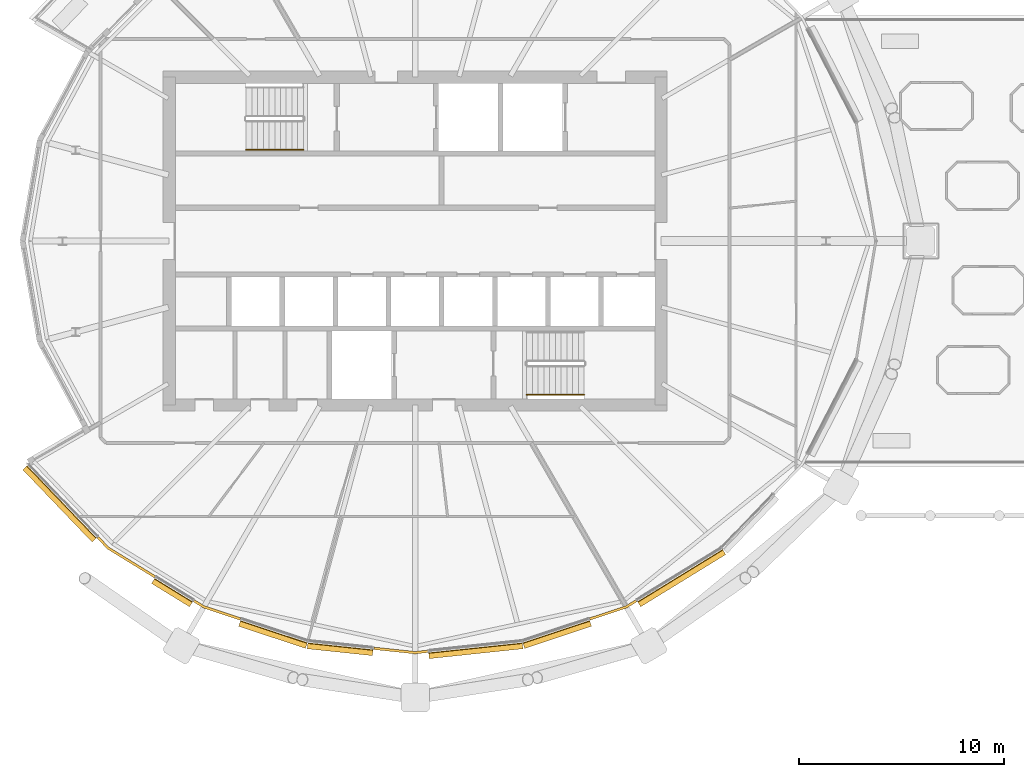
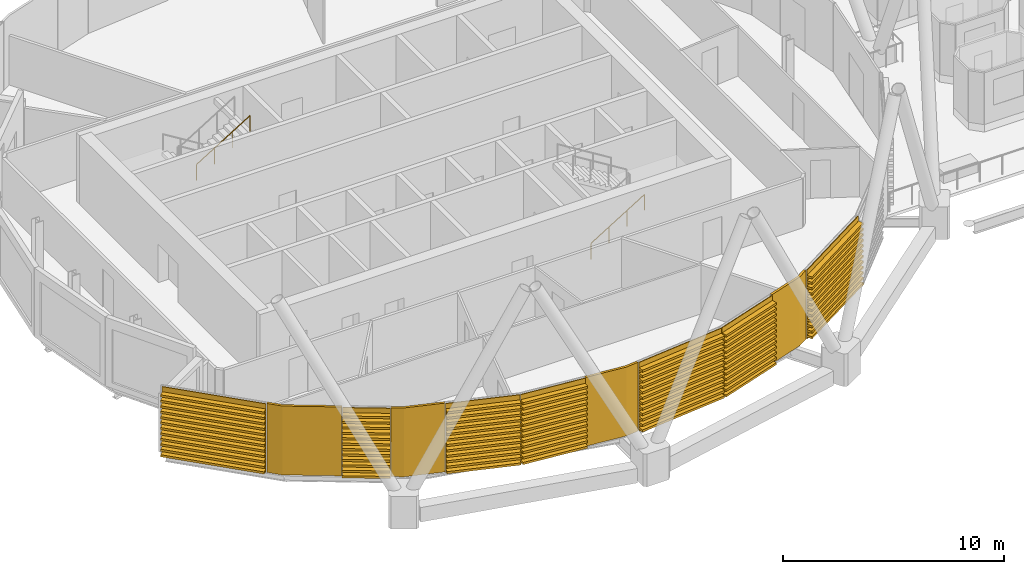
# One storey, part 32 of 38: 11 coverings, 2 railings.
"""IFC4 building model written with IfcOpenShell, lengths in metres."""

from ifc_helpers import new_model, si_unit, direction, frame, origin, origin_2d, place, context, subcontext, project, spatial, polyline, circle, outline, extrude, material, layer, layer_set, material_profile, profile_set, type_object, element, save


model = new_model("IFC4")

# Units and contexts
model_context = context("Model", 3, precision=1e-05, world=origin(), true_north=direction((0.0, 1.0)))
body_context = subcontext(model_context, "Body", "Model", "MODEL_VIEW")
ifc_project = project(units=[si_unit("LENGTHUNIT", "METRE"), si_unit("AREAUNIT", "SQUARE_METRE"), si_unit("VOLUMEUNIT", "CUBIC_METRE"), si_unit("PLANEANGLEUNIT", "RADIAN"), si_unit("MASSUNIT", "GRAM", prefix="KILO")], contexts=[model_context])

# Site, building, storey
site_placement = place(None, origin())
site = spatial("IfcSite", under=ifc_project, at=site_placement, CompositionType="ELEMENT")
building_placement = place(site_placement, origin())
building = spatial("IfcBuilding", under=site, at=building_placement, Name="Rimbun Link Towers", CompositionType="ELEMENT")
storey_placement = place(building_placement, frame((0.0, 0.0, 158.89990234375)))
storey = spatial("IfcBuildingStorey", under=building, at=storey_placement, Name="L38", CompositionType="ELEMENT", Elevation=158.89990234375)

# Coverings
ifc_material_1 = material(Name="Terracotta", Category="masonry")
ifc_layer = layer(ifc_material_1, 0.1201171875)
ifc_layer_set = layer_set([ifc_layer], Name="LINK PIER terracotta cladding 120")
covering_type_1 = type_object("IfcCoveringType", Name="LINK PIER terracotta cladding 120", PredefinedType="CLADDING", material=ifc_layer_set)
covering_1_placement = place(storey_placement, origin())
element("IfcCovering", 1, at=covering_1_placement, inside=storey, type_object=covering_type_1, Name="LINK PIER cladding", PredefinedType="CLADDING", context=body_context, shape_type="SweptSolid", body=[
    extrude(outline(polyline([(-44.41748046875, -16.33984375), (-46.692626953125, -14.942626953125), (-47.19091796875, -14.4228515625), (-47.277587890625, -14.506103515625), (-46.7685546875, -15.036865234375), (-44.480224609375, -16.442138671875), (-44.41748046875, -16.33984375)])), origin(), (0.0, 0.0, 1.0), 3.800048828125),
])
covering_2_placement = place(storey_placement, origin())
element("IfcCovering", 2, at=covering_2_placement, inside=storey, type_object=covering_type_1, Name="LINK PIER cladding", PredefinedType="CLADDING", context=body_context, shape_type="SweptSolid", body=[
    extrude(outline(polyline([(-40.255126953125, -18.393798828125), (-42.030029296875, -17.8056640625), (-42.515869140625, -17.50732421875), (-42.57861328125, -17.609619140625), (-42.0810546875, -17.9150390625), (-40.292724609375, -18.5078125), (-40.255126953125, -18.393798828125)])), origin(), (0.0, 0.0, 1.0), 3.800048828125),
])
covering_3_placement = place(storey_placement, origin())
element("IfcCovering", 3, at=covering_3_placement, inside=storey, type_object=covering_type_1, Name="LINK PIER cladding", PredefinedType="CLADDING", context=body_context, shape_type="SweptSolid", body=[
    extrude(outline(polyline([(-31.13330078125, -19.967041015625), (-31.75, -20.031982421875), (-33.7587890625, -19.820556640625), (-33.771484375, -19.93994140625), (-31.75, -20.15283203125), (-31.120849609375, -20.08642578125), (-31.13330078125, -19.967041015625)])), origin(), (0.0, 0.0, 1.0), 3.800048828125),
])
covering_4_placement = place(storey_placement, origin())
element("IfcCovering", 4, at=covering_4_placement, inside=storey, type_object=covering_type_1, Name="LINK PIER cladding", PredefinedType="CLADDING", context=body_context, shape_type="SweptSolid", body=[
    extrude(outline(polyline([(-20.984130859375, -17.50732421875), (-21.469970703125, -17.8056640625), (-23.244873046875, -18.393798828125), (-23.207275390625, -18.5078125), (-21.4189453125, -17.9150390625), (-20.92138671875, -17.609619140625), (-20.984130859375, -17.50732421875)])), origin(), (0.0, 0.0, 1.0), 3.800048828125),
])

# Railings
ifc_material_2 = material(Name="Stainless steel grade 316", Category="steel")
railing_type = type_object("IfcRailingType", Name="Stair handrail", PredefinedType="HANDRAIL", material=ifc_material_2)
for number, where, name in (
    (5, (-40.0, 4.449951171875, 2.07275390625), "L38 ST1 stair handrail 2"),
    (6, (-26.300048828125, -7.5, 0.1728515625), "L38 ST2 stair handrail 1"),
):
    element("IfcRailing", number, at=place(storey_placement, frame(where)), inside=storey, type_object=railing_type, Name=name, PredefinedType="HANDRAIL", context=body_context, shape_type="SweptSolid", body=[
        extrude(circle(Radius=0.02392578125, at=origin_2d()), frame((0.0, 0.0, 0.8759765625), z_axis=(0.851089632645, 0.0, 0.525020415988), x_axis=(0.0, 1.0, 0.0)), (0.0, 0.0, 1.0), 3.2900390625),
        extrude(circle(Radius=0.02099609375, at=origin_2d()), origin(), (0.0, 0.0, 1.0), 0.851806640625),
        extrude(circle(Radius=0.02099609375, at=origin_2d()), frame((0.933349609375, 0.0, 0.57568359375)), (0.0, 0.0, 1.0), 0.851806640625),
        extrude(circle(Radius=0.02099609375, at=origin_2d()), frame((1.86669921875, 0.0, 1.151611328125)), (0.0, 0.0, 1.0), 0.851806640625),
        extrude(circle(Radius=0.02099609375, at=origin_2d()), frame((2.800048828125, 0.0, 1.727294921875)), (0.0, 0.0, 1.0), 0.851806640625),
    ])

# Coverings
ifc_material_3 = material(Name="Terracotta", Category="masonry")
ifc_material_profile = material_profile(ifc_material_3, outline(polyline([(0.123046875, 0.0), (0.1630859375, 0.0), (0.1630859375, 0.10009765625), (0.423095703125, 0.10009765625), (0.423095703125, 0.219970703125), (0.1630859375, 0.219970703125), (0.1630859375, 0.39990234375), (0.423095703125, 0.39990234375), (0.423095703125, 0.52001953125), (0.1630859375, 0.52001953125), (0.1630859375, 0.699951171875), (0.423095703125, 0.699951171875), (0.423095703125, 0.820068359375), (0.1630859375, 0.820068359375), (0.1630859375, 1.0), (0.423095703125, 1.0), (0.423095703125, 1.1201171875), (0.1630859375, 1.1201171875), (0.1630859375, 1.300048828125), (0.423095703125, 1.300048828125), (0.423095703125, 1.419921875), (0.1630859375, 1.419921875), (0.1630859375, 1.60009765625), (0.423095703125, 1.60009765625), (0.423095703125, 1.719970703125), (0.1630859375, 1.719970703125), (0.1630859375, 1.89990234375), (0.423095703125, 1.89990234375), (0.423095703125, 2.02001953125), (0.1630859375, 2.02001953125), (0.1630859375, 2.199951171875), (0.423095703125, 2.199951171875), (0.423095703125, 2.320068359375), (0.1630859375, 2.320068359375), (0.1630859375, 2.5), (0.423095703125, 2.5), (0.423095703125, 2.6201171875), (0.1630859375, 2.6201171875), (0.1630859375, 2.800048828125), (0.423095703125, 2.800048828125), (0.423095703125, 2.919921875), (0.1630859375, 2.919921875), (0.1630859375, 3.10009765625), (0.423095703125, 3.10009765625), (0.423095703125, 3.219970703125), (0.1630859375, 3.219970703125), (0.1630859375, 3.39990234375), (0.423095703125, 3.39990234375), (0.423095703125, 3.52001953125), (0.1630859375, 3.52001953125), (0.1630859375, 3.800048828125), (0.123046875, 3.800048828125), (0.123046875, 0.0)])), Name="BAGUETTE 120X300")
ifc_profile_set = profile_set([ifc_material_profile], Name="Terracotta")
covering_type_2 = type_object("IfcCoveringType", Name="TERRACOTTA BAGUETTE 120X300 H3800", PredefinedType="CLADDING", material=ifc_profile_set)
covering_5_placement = place(storey_placement, frame((-47.211669921875, -14.4013671875, 0.0), z_axis=(-0.692046556377, 0.721852868532, 0.0), x_axis=(-0.721852868532, -0.692046556377, 0.0)))
element("IfcCovering", 7, at=covering_5_placement, inside=storey, type_object=covering_type_2, Name="TERRACOTTA BAGUETTE", PredefinedType="CLADDING", context=body_context, shape_type="SweptSolid", body=[
    extrude(outline(polyline([(0.123046875, 0.0), (0.1630859375, 0.0), (0.1630859375, 0.10009765625), (0.423095703125, 0.10009765625), (0.423095703125, 0.219970703125), (0.1630859375, 0.219970703125), (0.1630859375, 0.39990234375), (0.423095703125, 0.39990234375), (0.423095703125, 0.52001953125), (0.1630859375, 0.52001953125), (0.1630859375, 0.699951171875), (0.423095703125, 0.699951171875), (0.423095703125, 0.820068359375), (0.1630859375, 0.820068359375), (0.1630859375, 1.0), (0.423095703125, 1.0), (0.423095703125, 1.1201171875), (0.1630859375, 1.1201171875), (0.1630859375, 1.300048828125), (0.423095703125, 1.300048828125), (0.423095703125, 1.419921875), (0.1630859375, 1.419921875), (0.1630859375, 1.60009765625), (0.423095703125, 1.60009765625), (0.423095703125, 1.719970703125), (0.1630859375, 1.719970703125), (0.1630859375, 1.89990234375), (0.423095703125, 1.89990234375), (0.423095703125, 2.02001953125), (0.1630859375, 2.02001953125), (0.1630859375, 2.199951171875), (0.423095703125, 2.199951171875), (0.423095703125, 2.320068359375), (0.1630859375, 2.320068359375), (0.1630859375, 2.5), (0.423095703125, 2.5), (0.423095703125, 2.6201171875), (0.1630859375, 2.6201171875), (0.1630859375, 2.800048828125), (0.423095703125, 2.800048828125), (0.423095703125, 2.919921875), (0.1630859375, 2.919921875), (0.1630859375, 3.10009765625), (0.423095703125, 3.10009765625), (0.423095703125, 3.219970703125), (0.1630859375, 3.219970703125), (0.1630859375, 3.39990234375), (0.423095703125, 3.39990234375), (0.423095703125, 3.52001953125), (0.1630859375, 3.52001953125), (0.1630859375, 3.800048828125), (0.123046875, 3.800048828125), (0.123046875, 0.0)])), origin(), (0.0, 0.0, 1.0), 4.8818359375),
])
covering_6_placement = place(storey_placement, frame((-42.54150390625, -17.49169921875, 0.0), z_axis=(-0.852159790822, 0.523281655427, 0.0), x_axis=(-0.523281655427, -0.852159790822, 0.0)))
element("IfcCovering", 8, at=covering_6_placement, inside=storey, type_object=covering_type_2, Name="TERRACOTTA BAGUETTE", PredefinedType="CLADDING", context=body_context, shape_type="SweptSolid", body=[
    extrude(outline(polyline([(0.123046875, 0.0), (0.1630859375, 0.0), (0.1630859375, 0.10009765625), (0.423095703125, 0.10009765625), (0.423095703125, 0.219970703125), (0.1630859375, 0.219970703125), (0.1630859375, 0.39990234375), (0.423095703125, 0.39990234375), (0.423095703125, 0.52001953125), (0.1630859375, 0.52001953125), (0.1630859375, 0.699951171875), (0.423095703125, 0.699951171875), (0.423095703125, 0.820068359375), (0.1630859375, 0.820068359375), (0.1630859375, 1.0), (0.423095703125, 1.0), (0.423095703125, 1.1201171875), (0.1630859375, 1.1201171875), (0.1630859375, 1.300048828125), (0.423095703125, 1.300048828125), (0.423095703125, 1.419921875), (0.1630859375, 1.419921875), (0.1630859375, 1.60009765625), (0.423095703125, 1.60009765625), (0.423095703125, 1.719970703125), (0.1630859375, 1.719970703125), (0.1630859375, 1.89990234375), (0.423095703125, 1.89990234375), (0.423095703125, 2.02001953125), (0.1630859375, 2.02001953125), (0.1630859375, 2.199951171875), (0.423095703125, 2.199951171875), (0.423095703125, 2.320068359375), (0.1630859375, 2.320068359375), (0.1630859375, 2.5), (0.423095703125, 2.5), (0.423095703125, 2.6201171875), (0.1630859375, 2.6201171875), (0.1630859375, 2.800048828125), (0.423095703125, 2.800048828125), (0.423095703125, 2.919921875), (0.1630859375, 2.919921875), (0.1630859375, 3.10009765625), (0.423095703125, 3.10009765625), (0.423095703125, 3.219970703125), (0.1630859375, 3.219970703125), (0.1630859375, 3.39990234375), (0.423095703125, 3.39990234375), (0.423095703125, 3.52001953125), (0.1630859375, 3.52001953125), (0.1630859375, 3.800048828125), (0.123046875, 3.800048828125), (0.123046875, 0.0)])), origin(), (0.0, 0.0, 1.0), 2.17138671875),
])
covering_7_placement = place(storey_placement, frame((-36.97021484375, -19.482421875, 0.0), z_axis=(-0.949236945708, 0.314561950819, 0.0), x_axis=(-0.314561950819, -0.949236945708, 0.0)))
element("IfcCovering", 9, at=covering_7_placement, inside=storey, type_object=covering_type_2, Name="TERRACOTTA BAGUETTE", PredefinedType="CLADDING", context=body_context, shape_type="SweptSolid", body=[
    extrude(outline(polyline([(0.123046875, 0.0), (0.1630859375, 0.0), (0.1630859375, 0.10009765625), (0.423095703125, 0.10009765625), (0.423095703125, 0.219970703125), (0.1630859375, 0.219970703125), (0.1630859375, 0.39990234375), (0.423095703125, 0.39990234375), (0.423095703125, 0.52001953125), (0.1630859375, 0.52001953125), (0.1630859375, 0.699951171875), (0.423095703125, 0.699951171875), (0.423095703125, 0.820068359375), (0.1630859375, 0.820068359375), (0.1630859375, 1.0), (0.423095703125, 1.0), (0.423095703125, 1.1201171875), (0.1630859375, 1.1201171875), (0.1630859375, 1.300048828125), (0.423095703125, 1.300048828125), (0.423095703125, 1.419921875), (0.1630859375, 1.419921875), (0.1630859375, 1.60009765625), (0.423095703125, 1.60009765625), (0.423095703125, 1.719970703125), (0.1630859375, 1.719970703125), (0.1630859375, 1.89990234375), (0.423095703125, 1.89990234375), (0.423095703125, 2.02001953125), (0.1630859375, 2.02001953125), (0.1630859375, 2.199951171875), (0.423095703125, 2.199951171875), (0.423095703125, 2.320068359375), (0.1630859375, 2.320068359375), (0.1630859375, 2.5), (0.423095703125, 2.5), (0.423095703125, 2.6201171875), (0.1630859375, 2.6201171875), (0.1630859375, 2.800048828125), (0.423095703125, 2.800048828125), (0.423095703125, 2.919921875), (0.1630859375, 2.919921875), (0.1630859375, 3.10009765625), (0.423095703125, 3.10009765625), (0.423095703125, 3.219970703125), (0.1630859375, 3.219970703125), (0.1630859375, 3.39990234375), (0.423095703125, 3.39990234375), (0.423095703125, 3.52001953125), (0.1630859375, 3.52001953125), (0.1630859375, 3.800048828125), (0.123046875, 3.800048828125), (0.123046875, 0.0)])), origin(), (0.0, 0.0, 1.0), 3.430419921875),
])
covering_8_placement = place(storey_placement, frame((-33.788818359375, -19.8173828125, 0.0), z_axis=(-0.994502943543, 0.104708620869, 0.0), x_axis=(-0.104708620869, -0.994502943543, 0.0)))
element("IfcCovering", 10, at=covering_8_placement, inside=storey, type_object=covering_type_2, Name="TERRACOTTA BAGUETTE", PredefinedType="CLADDING", context=body_context, shape_type="SweptSolid", body=[
    extrude(outline(polyline([(0.123046875, 0.0), (0.1630859375, 0.0), (0.1630859375, 0.10009765625), (0.423095703125, 0.10009765625), (0.423095703125, 0.219970703125), (0.1630859375, 0.219970703125), (0.1630859375, 0.39990234375), (0.423095703125, 0.39990234375), (0.423095703125, 0.52001953125), (0.1630859375, 0.52001953125), (0.1630859375, 0.699951171875), (0.423095703125, 0.699951171875), (0.423095703125, 0.820068359375), (0.1630859375, 0.820068359375), (0.1630859375, 1.0), (0.423095703125, 1.0), (0.423095703125, 1.1201171875), (0.1630859375, 1.1201171875), (0.1630859375, 1.300048828125), (0.423095703125, 1.300048828125), (0.423095703125, 1.419921875), (0.1630859375, 1.419921875), (0.1630859375, 1.60009765625), (0.423095703125, 1.60009765625), (0.423095703125, 1.719970703125), (0.1630859375, 1.719970703125), (0.1630859375, 1.89990234375), (0.423095703125, 1.89990234375), (0.423095703125, 2.02001953125), (0.1630859375, 2.02001953125), (0.1630859375, 2.199951171875), (0.423095703125, 2.199951171875), (0.423095703125, 2.320068359375), (0.1630859375, 2.320068359375), (0.1630859375, 2.5), (0.423095703125, 2.5), (0.423095703125, 2.6201171875), (0.1630859375, 2.6201171875), (0.1630859375, 2.800048828125), (0.423095703125, 2.800048828125), (0.423095703125, 2.919921875), (0.1630859375, 2.919921875), (0.1630859375, 3.10009765625), (0.423095703125, 3.10009765625), (0.423095703125, 3.219970703125), (0.1630859375, 3.219970703125), (0.1630859375, 3.39990234375), (0.423095703125, 3.39990234375), (0.423095703125, 3.52001953125), (0.1630859375, 3.52001953125), (0.1630859375, 3.800048828125), (0.123046875, 3.800048828125), (0.123046875, 0.0)])), origin(), (0.0, 0.0, 1.0), 3.198974609375),
])
covering_9_placement = place(storey_placement, frame((-26.52978515625, -19.482421875, 0.0), z_axis=(-0.994499924847, -0.104737287911, 0.0), x_axis=(0.104737287911, -0.994499924847, 0.0)))
element("IfcCovering", 11, at=covering_9_placement, inside=storey, type_object=covering_type_2, Name="TERRACOTTA BAGUETTE", PredefinedType="CLADDING", context=body_context, shape_type="SweptSolid", body=[
    extrude(outline(polyline([(0.123046875, 0.0), (0.1630859375, 0.0), (0.1630859375, 0.10009765625), (0.423095703125, 0.10009765625), (0.423095703125, 0.219970703125), (0.1630859375, 0.219970703125), (0.1630859375, 0.39990234375), (0.423095703125, 0.39990234375), (0.423095703125, 0.52001953125), (0.1630859375, 0.52001953125), (0.1630859375, 0.699951171875), (0.423095703125, 0.699951171875), (0.423095703125, 0.820068359375), (0.1630859375, 0.820068359375), (0.1630859375, 1.0), (0.423095703125, 1.0), (0.423095703125, 1.1201171875), (0.1630859375, 1.1201171875), (0.1630859375, 1.300048828125), (0.423095703125, 1.300048828125), (0.423095703125, 1.419921875), (0.1630859375, 1.419921875), (0.1630859375, 1.60009765625), (0.423095703125, 1.60009765625), (0.423095703125, 1.719970703125), (0.1630859375, 1.719970703125), (0.1630859375, 1.89990234375), (0.423095703125, 1.89990234375), (0.423095703125, 2.02001953125), (0.1630859375, 2.02001953125), (0.1630859375, 2.199951171875), (0.423095703125, 2.199951171875), (0.423095703125, 2.320068359375), (0.1630859375, 2.320068359375), (0.1630859375, 2.5), (0.423095703125, 2.5), (0.423095703125, 2.6201171875), (0.1630859375, 2.6201171875), (0.1630859375, 2.800048828125), (0.423095703125, 2.800048828125), (0.423095703125, 2.919921875), (0.1630859375, 2.919921875), (0.1630859375, 3.10009765625), (0.423095703125, 3.10009765625), (0.423095703125, 3.219970703125), (0.1630859375, 3.219970703125), (0.1630859375, 3.39990234375), (0.423095703125, 3.39990234375), (0.423095703125, 3.52001953125), (0.1630859375, 3.52001953125), (0.1630859375, 3.800048828125), (0.123046875, 3.800048828125), (0.123046875, 0.0)])), origin(), (0.0, 0.0, 1.0), 4.59912109375),
])
covering_10_placement = place(storey_placement, frame((-23.2734375, -18.4033203125, 0.0), z_axis=(-0.949236945708, -0.314561950819, 0.0), x_axis=(0.314561950819, -0.949236945708, 0.0)))
element("IfcCovering", 12, at=covering_10_placement, inside=storey, type_object=covering_type_2, Name="TERRACOTTA BAGUETTE", PredefinedType="CLADDING", context=body_context, shape_type="SweptSolid", body=[
    extrude(outline(polyline([(0.123046875, 0.0), (0.1630859375, 0.0), (0.1630859375, 0.10009765625), (0.423095703125, 0.10009765625), (0.423095703125, 0.219970703125), (0.1630859375, 0.219970703125), (0.1630859375, 0.39990234375), (0.423095703125, 0.39990234375), (0.423095703125, 0.52001953125), (0.1630859375, 0.52001953125), (0.1630859375, 0.699951171875), (0.423095703125, 0.699951171875), (0.423095703125, 0.820068359375), (0.1630859375, 0.820068359375), (0.1630859375, 1.0), (0.423095703125, 1.0), (0.423095703125, 1.1201171875), (0.1630859375, 1.1201171875), (0.1630859375, 1.300048828125), (0.423095703125, 1.300048828125), (0.423095703125, 1.419921875), (0.1630859375, 1.419921875), (0.1630859375, 1.60009765625), (0.423095703125, 1.60009765625), (0.423095703125, 1.719970703125), (0.1630859375, 1.719970703125), (0.1630859375, 1.89990234375), (0.423095703125, 1.89990234375), (0.423095703125, 2.02001953125), (0.1630859375, 2.02001953125), (0.1630859375, 2.199951171875), (0.423095703125, 2.199951171875), (0.423095703125, 2.320068359375), (0.1630859375, 2.320068359375), (0.1630859375, 2.5), (0.423095703125, 2.5), (0.423095703125, 2.6201171875), (0.1630859375, 2.6201171875), (0.1630859375, 2.800048828125), (0.423095703125, 2.800048828125), (0.423095703125, 2.919921875), (0.1630859375, 2.919921875), (0.1630859375, 3.10009765625), (0.423095703125, 3.10009765625), (0.423095703125, 3.219970703125), (0.1630859375, 3.219970703125), (0.1630859375, 3.39990234375), (0.423095703125, 3.39990234375), (0.423095703125, 3.52001953125), (0.1630859375, 3.52001953125), (0.1630859375, 3.800048828125), (0.123046875, 3.800048828125), (0.123046875, 0.0)])), origin(), (0.0, 0.0, 1.0), 3.430419921875),
])
covering_11_placement = place(storey_placement, frame((-16.807373046875, -14.942626953125, 0.0), z_axis=(-0.852158679137, -0.523283465792, 0.0), x_axis=(0.523283465792, -0.852158679137, 0.0)))
element("IfcCovering", 13, at=covering_11_placement, inside=storey, type_object=covering_type_2, Name="TERRACOTTA BAGUETTE", PredefinedType="CLADDING", context=body_context, shape_type="SweptSolid", body=[
    extrude(outline(polyline([(0.123046875, 0.0), (0.1630859375, 0.0), (0.1630859375, 0.10009765625), (0.423095703125, 0.10009765625), (0.423095703125, 0.219970703125), (0.1630859375, 0.219970703125), (0.1630859375, 0.39990234375), (0.423095703125, 0.39990234375), (0.423095703125, 0.52001953125), (0.1630859375, 0.52001953125), (0.1630859375, 0.699951171875), (0.423095703125, 0.699951171875), (0.423095703125, 0.820068359375), (0.1630859375, 0.820068359375), (0.1630859375, 1.0), (0.423095703125, 1.0), (0.423095703125, 1.1201171875), (0.1630859375, 1.1201171875), (0.1630859375, 1.300048828125), (0.423095703125, 1.300048828125), (0.423095703125, 1.419921875), (0.1630859375, 1.419921875), (0.1630859375, 1.60009765625), (0.423095703125, 1.60009765625), (0.423095703125, 1.719970703125), (0.1630859375, 1.719970703125), (0.1630859375, 1.89990234375), (0.423095703125, 1.89990234375), (0.423095703125, 2.02001953125), (0.1630859375, 2.02001953125), (0.1630859375, 2.199951171875), (0.423095703125, 2.199951171875), (0.423095703125, 2.320068359375), (0.1630859375, 2.320068359375), (0.1630859375, 2.5), (0.423095703125, 2.5), (0.423095703125, 2.6201171875), (0.1630859375, 2.6201171875), (0.1630859375, 2.800048828125), (0.423095703125, 2.800048828125), (0.423095703125, 2.919921875), (0.1630859375, 2.919921875), (0.1630859375, 3.10009765625), (0.423095703125, 3.10009765625), (0.423095703125, 3.219970703125), (0.1630859375, 3.219970703125), (0.1630859375, 3.39990234375), (0.423095703125, 3.39990234375), (0.423095703125, 3.52001953125), (0.1630859375, 3.52001953125), (0.1630859375, 3.800048828125), (0.123046875, 3.800048828125), (0.123046875, 0.0)])), origin(), (0.0, 0.0, 1.0), 4.871337890625),
])

save(model, "model.ifc")
